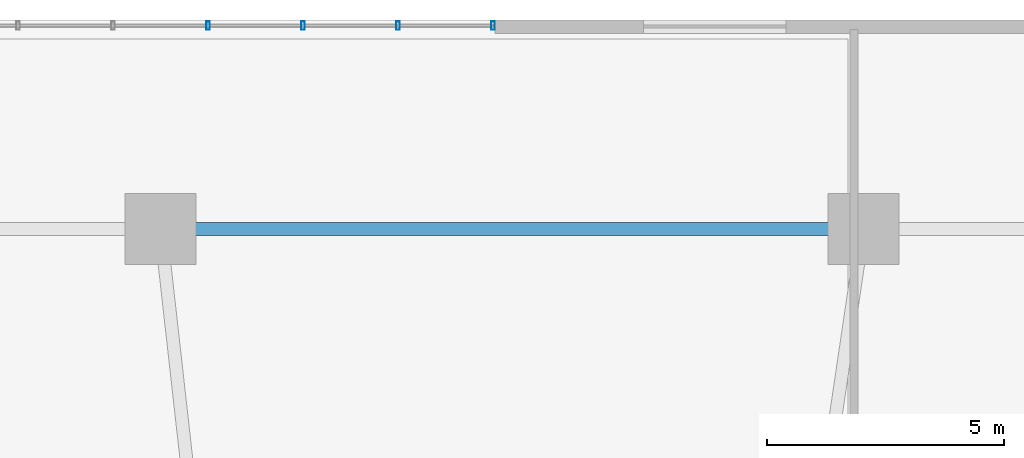
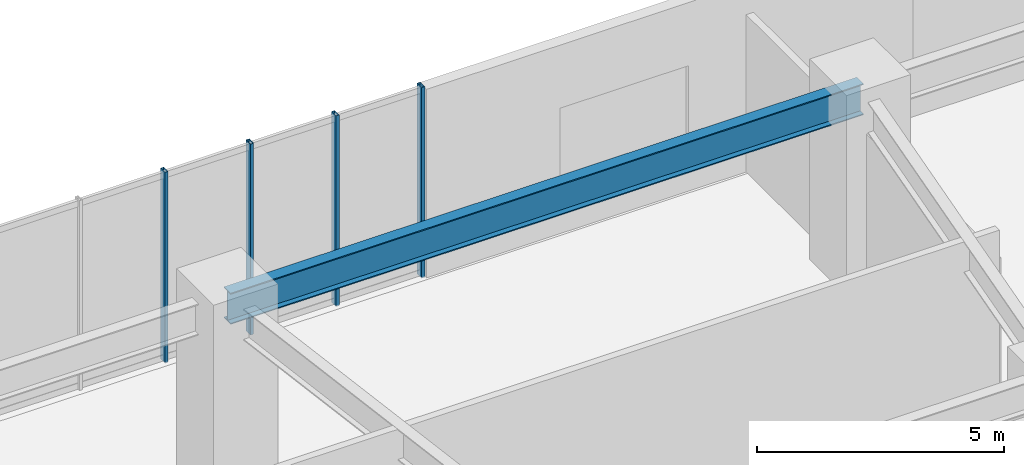
# One storey, part 9 of 18: 4 members, 1 beam, 1 element without a shape of its own.
"""IFC4 building model written with IfcOpenShell, lengths in metres."""

from ifc_helpers import new_model, si_unit, direction, frame, origin, origin_2d, place, context, subcontext, project, spatial, hollow_rectangle, i_section, extrude, material, material_profile, profile_set, type_object, element, aggregate, save


model = new_model("IFC4")

# Units and contexts
model_context = context("Model", 3, precision=1e-05, world=origin(), true_north=direction((0.0, 1.0)))
body_context = subcontext(model_context, "Body", "Model", "MODEL_VIEW")
ifc_project = project(units=[si_unit("LENGTHUNIT", "METRE"), si_unit("AREAUNIT", "SQUARE_METRE"), si_unit("VOLUMEUNIT", "CUBIC_METRE"), si_unit("PLANEANGLEUNIT", "RADIAN"), si_unit("MASSUNIT", "GRAM", prefix="KILO")], contexts=[model_context])

# Site, building, storey
site_placement = place(None, origin())
site = spatial("IfcSite", under=ifc_project, at=site_placement, CompositionType="ELEMENT")
building_placement = place(site_placement, origin())
building = spatial("IfcBuilding", under=site, at=building_placement, Name="Zulverin Broadcast Headquarters", CompositionType="ELEMENT")
storey_placement = place(building_placement, origin())
storey = spatial("IfcBuildingStorey", under=building, at=storey_placement, Name="L00", CompositionType="ELEMENT", Elevation=0.0)

# Beam
ifc_material_1 = material(Name="Structural steel S355JR", Category="steel")
ifc_material_profile_1 = material_profile(ifc_material_1, i_section(OverallWidth=0.26806640625, OverallDepth=0.769775390625, WebThickness=0.015625, FlangeThickness=0.025390625, at=origin_2d()), Name="Structural steel S355JR", Category="steel")
ifc_profile_set_1 = profile_set([ifc_material_profile_1], Name="Structural steel S355JR")
beam_type = type_object("IfcBeamType", Name="BM-UB-762", PredefinedType="BEAM", material=ifc_profile_set_1)
beam_placement = place(storey_placement, frame((51.800048828125, 46.0, 4.275146484375), z_axis=(-1.0, 0.0, 0.0), x_axis=(0.0, -1.0, 0.0)))
element("IfcBeam", 1, at=beam_placement, inside=storey, type_object=beam_type, Name="L00 Podium Primary Girder P09-P08", PredefinedType="BEAM", context=body_context, shape_type="SweptSolid", body=[
    extrude(i_section(OverallWidth=0.26806640625, OverallDepth=0.769775390625, WebThickness=0.015625, FlangeThickness=0.025390625, at=origin_2d()), origin(), (0.0, 0.0, 1.0), 14.800048828125),
])

# Curtain wall, members
ifc_material_2 = material(Name="Pale-metal unitised podium curtain wall", Category="aluminium")
curtain_wall_type = type_object("IfcCurtainWallType", Name="CW-POD", PredefinedType="USERDEFINED", material=ifc_material_2)
curtain_wall_placement = place(storey_placement, origin())
curtain_wall = element("IfcCurtainWall", 2, at=curtain_wall_placement, inside=storey, type_object=curtain_wall_type, Name="L00 Unitised Curtain Wall CW-L00-N2", ObjectType="UNITISED CURTAIN WALL", PredefinedType="USERDEFINED")
ifc_material_3 = material(Name="Anodized pale-metal aluminium alloy 6063-T6", Category="aluminium")
ifc_material_profile_2 = material_profile(ifc_material_3, hollow_rectangle(XDim=0.074951171875, YDim=0.179931640625, WallThickness=0.0048828125, at=origin_2d()), Name="Anodized pale-metal aluminium alloy 6063-T6", Category="aluminium")
ifc_profile_set_2 = profile_set([ifc_material_profile_2], Name="Anodized pale-metal aluminium alloy 6063-T6")
member_type = type_object("IfcMemberType", Name="CW-MUL-180", PredefinedType="MULLION", material=ifc_profile_set_2)
member_1_placement = place(storey_placement, frame((44.0, 50.280029296875, -0.030029296875), z_axis=(0.0, 0.0, 1.0), x_axis=(-1.0, 0.0, 0.0)))
member_1 = element("IfcMember", 3, at=member_1_placement, type_object=member_type, Name="CW-L00-N2 Mullion 00", PredefinedType="MULLION", context=body_context, shape_type="SweptSolid", body=[
    extrude(hollow_rectangle(XDim=0.074951171875, YDim=0.179931640625, WallThickness=0.0048828125, at=origin_2d()), origin(), (0.0, 0.0, 1.0), 4.719970703125),
])
member_2_placement = place(storey_placement, frame((42.0, 50.280029296875, -0.030029296875), z_axis=(0.0, 0.0, 1.0), x_axis=(-1.0, 0.0, 0.0)))
member_2 = element("IfcMember", 4, at=member_2_placement, type_object=member_type, Name="CW-L00-N2 Mullion 01", PredefinedType="MULLION", context=body_context, shape_type="SweptSolid", body=[
    extrude(hollow_rectangle(XDim=0.074951171875, YDim=0.179931640625, WallThickness=0.0048828125, at=origin_2d()), origin(), (0.0, 0.0, 1.0), 4.719970703125),
])
member_3_placement = place(storey_placement, frame((40.0, 50.280029296875, -0.030029296875), z_axis=(0.0, 0.0, 1.0), x_axis=(-1.0, 0.0, 0.0)))
member_3 = element("IfcMember", 5, at=member_3_placement, type_object=member_type, Name="CW-L00-N2 Mullion 02", PredefinedType="MULLION", context=body_context, shape_type="SweptSolid", body=[
    extrude(hollow_rectangle(XDim=0.074951171875, YDim=0.179931640625, WallThickness=0.0048828125, at=origin_2d()), origin(), (0.0, 0.0, 1.0), 4.719970703125),
])
member_4_placement = place(storey_placement, frame((38.0, 50.280029296875, -0.030029296875), z_axis=(0.0, 0.0, 1.0), x_axis=(-1.0, 0.0, 0.0)))
member_4 = element("IfcMember", 6, at=member_4_placement, type_object=member_type, Name="CW-L00-N2 Mullion 03", PredefinedType="MULLION", context=body_context, shape_type="SweptSolid", body=[
    extrude(hollow_rectangle(XDim=0.074951171875, YDim=0.179931640625, WallThickness=0.0048828125, at=origin_2d()), origin(), (0.0, 0.0, 1.0), 4.719970703125),
])
aggregate(curtain_wall, [member_1, member_2, member_3, member_4])

save(model, "model.ifc")
